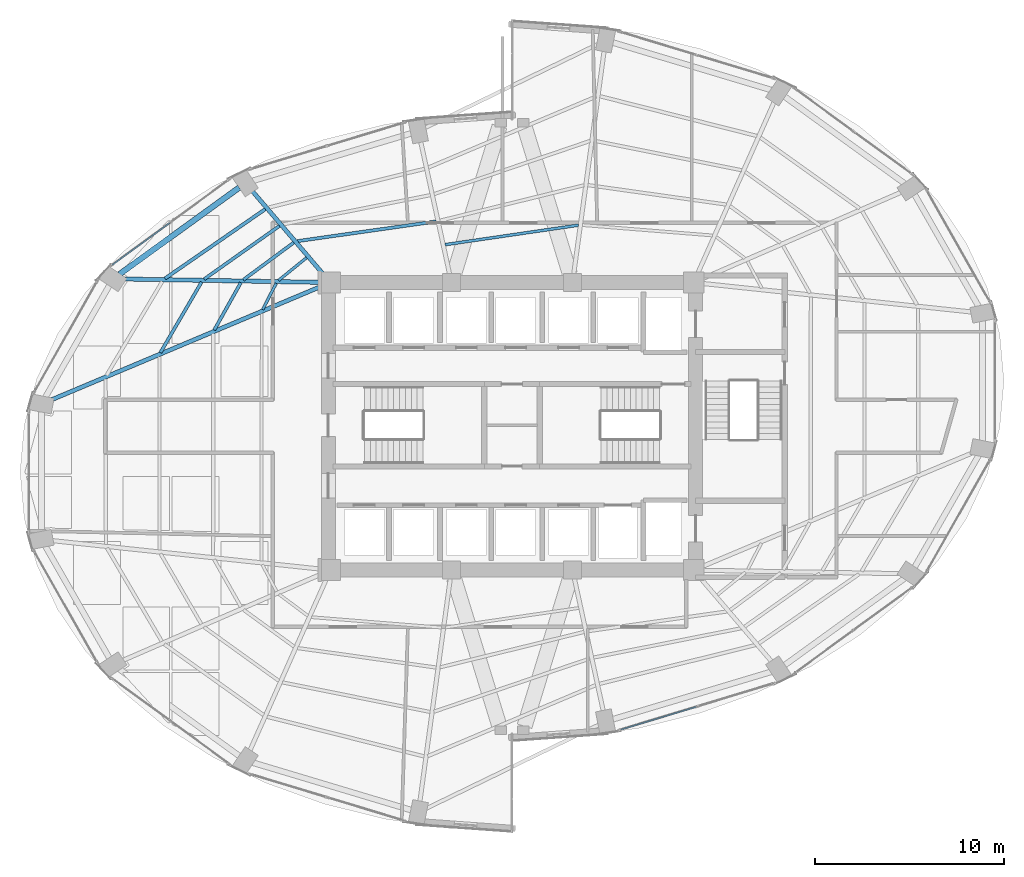
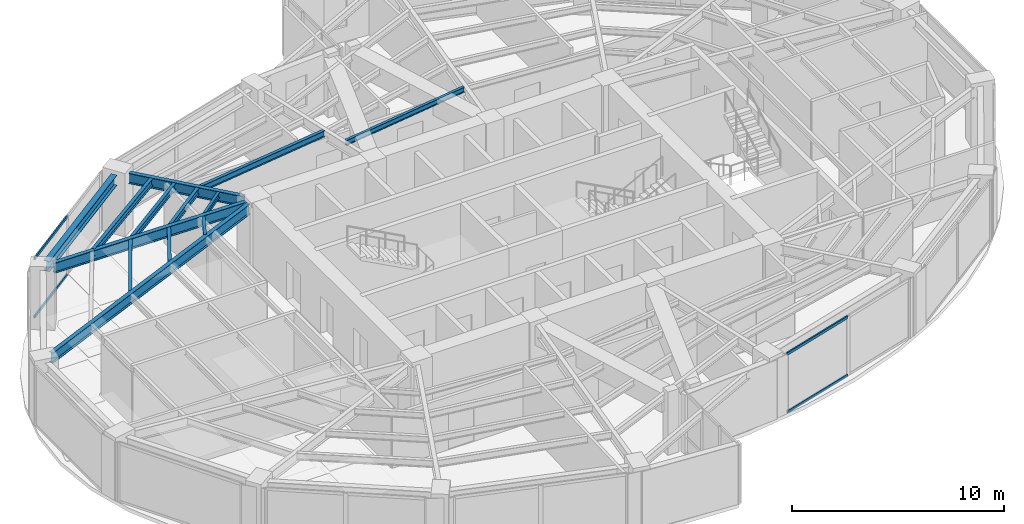
# One storey, part 9 of 24: 13 beams, 4 members, 2 elements without a shape of their own.
"""IFC4 building model written with IfcOpenShell, lengths in metres."""

from ifc_helpers import new_model, si_unit, direction, frame, origin, origin_2d, place, context, subcontext, project, spatial, hollow_rectangle, i_section, extrude, material, layer, layer_set, material_profile, profile_set, type_object, element, aggregate, save


model = new_model("IFC4")

# Units and contexts
model_context = context("Model", 3, precision=1e-05, world=origin(), true_north=direction((0.0, 1.0)))
body_context = subcontext(model_context, "Body", "Model", "MODEL_VIEW")
ifc_project = project(units=[si_unit("LENGTHUNIT", "METRE"), si_unit("AREAUNIT", "SQUARE_METRE"), si_unit("VOLUMEUNIT", "CUBIC_METRE"), si_unit("PLANEANGLEUNIT", "RADIAN"), si_unit("MASSUNIT", "GRAM", prefix="KILO")], contexts=[model_context])

# Site, building, storey
site_placement = place(None, origin())
site = spatial("IfcSite", under=ifc_project, at=site_placement, CompositionType="ELEMENT")
building_placement = place(site_placement, origin())
building = spatial("IfcBuilding", under=site, at=building_placement, Name="Lazwardi Medical Tower", CompositionType="ELEMENT")
storey_placement = place(building_placement, frame((0.0, 0.0, 103.632080078125)))
storey = spatial("IfcBuildingStorey", under=building, at=storey_placement, Name="L26", CompositionType="ELEMENT", Elevation=103.632080078125)

# Beams
ifc_material_1 = material(Name="Steel S355", Category="steel")
ifc_material_profile_1 = material_profile(ifc_material_1, i_section(OverallWidth=0.300048828125, OverallDepth=0.60009765625, WebThickness=0.015380859375, FlangeThickness=0.030029296875, at=origin_2d()), Name="HEB 600")
ifc_profile_set_1 = profile_set([ifc_material_profile_1], Name="Steel S355")
beam_type_1 = type_object("IfcBeamType", Name="BM-RB-Z2", PredefinedType="BEAM", material=ifc_profile_set_1)
beam_1_placement = place(storey_placement, frame((21.584228515625, 40.6171875, 3.1279296875), z_axis=(-0.810041907649, -0.586371987609, 0.0), x_axis=(0.586371987609, -0.810041907649, 0.0)))
element("IfcBeam", 1, at=beam_1_placement, inside=storey, type_object=beam_type_1, Name="Ring beam RB-03 B10 L26", PredefinedType="BEAM", context=body_context, shape_type="SweptSolid", body=[
    extrude(i_section(OverallWidth=0.300048828125, OverallDepth=0.60009765625, WebThickness=0.015380859375, FlangeThickness=0.030029296875, at=origin_2d()), origin(), (0.0, 0.0, 1.0), 7.814208984375),
])
ifc_material_profile_2 = material_profile(ifc_material_1, i_section(OverallWidth=0.219970703125, OverallDepth=0.60009765625, WebThickness=0.011962890625, FlangeThickness=0.01904296875, at=origin_2d()), Name="IPE 600")
ifc_profile_set_2 = profile_set([ifc_material_profile_2], Name="Steel S355")
beam_type_2 = type_object("IfcBeamType", Name="BM-RG-W1", PredefinedType="BEAM", material=ifc_profile_set_2)
beam_2_placement = place(storey_placement, frame((22.292724609375, 40.416259765625, 3.1279296875), z_axis=(0.648870567436, -0.760898801889, 0.0), x_axis=(0.760898801889, 0.648870567436, 0.0)))
element("IfcBeam", 2, at=beam_2_placement, inside=storey, type_object=beam_type_2, Name="Radial girder RG-02 R10 L26", PredefinedType="BEAM", context=body_context, shape_type="SweptSolid", body=[
    extrude(i_section(OverallWidth=0.219970703125, OverallDepth=0.60009765625, WebThickness=0.011962890625, FlangeThickness=0.01904296875, at=origin_2d()), origin(), (0.0, 0.0, 1.0), 5.794677734375),
])
beam_3_placement = place(storey_placement, frame((15.502197265625, 35.784912109375, 3.1279296875), z_axis=(0.99985616395, -0.016960289263, 0.0), x_axis=(0.016960289263, 0.99985616395, 0.0)))
element("IfcBeam", 3, at=beam_3_placement, inside=storey, type_object=beam_type_2, Name="Radial girder RG-02 R11 L26", PredefinedType="BEAM", context=body_context, shape_type="SweptSolid", body=[
    extrude(i_section(OverallWidth=0.219970703125, OverallDepth=0.60009765625, WebThickness=0.011962890625, FlangeThickness=0.01904296875, at=origin_2d()), origin(), (0.0, 0.0, 1.0), 10.3642578125),
])
beam_4_placement = place(storey_placement, frame((11.671630859375, 29.40478515625, 3.1279296875), z_axis=(0.921775176005, 0.38772480563, 0.0), x_axis=(-0.38772480563, 0.921775176005, 0.0)))
element("IfcBeam", 4, at=beam_4_placement, inside=storey, type_object=beam_type_2, Name="Radial girder RG-02 R12 L26", PredefinedType="BEAM", context=body_context, shape_type="SweptSolid", body=[
    extrude(i_section(OverallWidth=0.219970703125, OverallDepth=0.60009765625, WebThickness=0.011962890625, FlangeThickness=0.01904296875, at=origin_2d()), origin(), (0.0, 0.0, 1.0), 15.443359375),
])
ifc_material_profile_3 = material_profile(ifc_material_1, i_section(OverallWidth=0.179931640625, OverallDepth=0.39990234375, WebThickness=0.008544921875, FlangeThickness=0.013427734375, at=origin_2d()), Name="IPE 400")
ifc_profile_set_3 = profile_set([ifc_material_profile_3], Name="Steel S355")
beam_type_3 = type_object("IfcBeamType", Name="BM-SJ-01", PredefinedType="JOIST", material=ifc_profile_set_3)
beam_5_placement = place(storey_placement, frame((22.95849609375, 39.474609375, 3.22802734375), z_axis=(-0.822376339068, -0.568943896128, 0.0), x_axis=(0.568943896128, -0.822376339068, 0.0)))
element("IfcBeam", 5, at=beam_5_placement, inside=storey, type_object=beam_type_3, Name="Secondary joist SJ-01 R1 B10 L26", PredefinedType="JOIST", context=body_context, shape_type="SweptSolid", body=[
    extrude(i_section(OverallWidth=0.179931640625, OverallDepth=0.39990234375, WebThickness=0.008544921875, FlangeThickness=0.013427734375, at=origin_2d()), origin(), (0.0, 0.0, 1.0), 6.44189453125),
])
ifc_material_profile_4 = material_profile(ifc_material_1, i_section(OverallWidth=0.169921875, OverallDepth=0.360107421875, WebThickness=0.008056640625, FlangeThickness=0.0126953125, at=origin_2d()), Name="IPE 360")
ifc_profile_set_4 = profile_set([ifc_material_profile_4], Name="Steel S355")
beam_type_4 = type_object("IfcBeamType", Name="BM-SJ-02", PredefinedType="JOIST", material=ifc_profile_set_4)
beam_6_placement = place(storey_placement, frame((23.7109375, 38.591796875, 3.247802734375), z_axis=(-0.816156371539, -0.577831097464, 0.0), x_axis=(0.577831097464, -0.816156371539, 0.0)))
element("IfcBeam", 6, at=beam_6_placement, inside=storey, type_object=beam_type_4, Name="Secondary joist SJ-02 R2 B10 L26", PredefinedType="JOIST", context=body_context, shape_type="SweptSolid", body=[
    extrude(i_section(OverallWidth=0.169921875, OverallDepth=0.360107421875, WebThickness=0.008056640625, FlangeThickness=0.0126953125, at=origin_2d()), origin(), (0.0, 0.0, 1.0), 4.8740234375),
])
beam_7_placement = place(storey_placement, frame((19.594482421875, 35.623779296875, 3.247802734375), z_axis=(-0.503544274258, -0.86396942299, 0.0), x_axis=(0.86396942299, -0.503544274258, 0.0)))
element("IfcBeam", 7, at=beam_7_placement, inside=storey, type_object=beam_type_4, Name="Secondary joist SJ-02 R2 B11 L26", PredefinedType="JOIST", context=body_context, shape_type="SweptSolid", body=[
    extrude(i_section(OverallWidth=0.169921875, OverallDepth=0.360107421875, WebThickness=0.008056640625, FlangeThickness=0.0126953125, at=origin_2d()), origin(), (0.0, 0.0, 1.0), 4.321044921875),
])
beam_8_placement = place(storey_placement, frame((31.988525390625, 38.8271484375, 3.247802734375), z_axis=(-0.990067108571, -0.140595592128, 0.0), x_axis=(0.140595592128, -0.990067108571, 0.0)))
element("IfcBeam", 8, at=beam_8_placement, inside=storey, type_object=beam_type_4, Name="Secondary joist SJ-02 R3 B09 L26", PredefinedType="JOIST", context=body_context, shape_type="SweptSolid", body=[
    extrude(i_section(OverallWidth=0.169921875, OverallDepth=0.360107421875, WebThickness=0.008056640625, FlangeThickness=0.0126953125, at=origin_2d()), origin(), (0.0, 0.0, 1.0), 7.409423828125),
])
beam_9_placement = place(storey_placement, frame((24.46435546875, 37.708251953125, 3.247802734375), z_axis=(-0.804125525058, -0.594459536008, 0.0), x_axis=(0.594459536008, -0.804125525058, 0.0)))
element("IfcBeam", 9, at=beam_9_placement, inside=storey, type_object=beam_type_4, Name="Secondary joist SJ-02 R3 B10 L26", PredefinedType="JOIST", context=body_context, shape_type="SweptSolid", body=[
    extrude(i_section(OverallWidth=0.169921875, OverallDepth=0.360107421875, WebThickness=0.008056640625, FlangeThickness=0.0126953125, at=origin_2d()), origin(), (0.0, 0.0, 1.0), 3.30810546875),
])
beam_10_placement = place(storey_placement, frame((21.66845703125, 35.587890625, 3.247802734375), z_axis=(-0.489860824278, -0.871800649711, 0.0), x_axis=(0.871800649711, -0.489860824278, 0.0)))
element("IfcBeam", 10, at=beam_10_placement, inside=storey, type_object=beam_type_4, Name="Secondary joist SJ-02 R3 B11 L26", PredefinedType="JOIST", context=body_context, shape_type="SweptSolid", body=[
    extrude(i_section(OverallWidth=0.169921875, OverallDepth=0.360107421875, WebThickness=0.008056640625, FlangeThickness=0.0126953125, at=origin_2d()), origin(), (0.0, 0.0, 1.0), 2.8662109375),
])
ifc_material_profile_5 = material_profile(ifc_material_1, i_section(OverallWidth=0.14990234375, OverallDepth=0.300048828125, WebThickness=0.007080078125, FlangeThickness=0.0107421875, at=origin_2d()), Name="IPE 300")
ifc_profile_set_5 = profile_set([ifc_material_profile_5], Name="Steel S355")
beam_type_5 = type_object("IfcBeamType", Name="BM-SJ-03", PredefinedType="JOIST", material=ifc_profile_set_5)
beam_11_placement = place(storey_placement, frame((39.511474609375, 38.62939453125, 3.27783203125), z_axis=(-0.98949221477, -0.144586157392, 0.0), x_axis=(0.144586157392, -0.98949221477, 0.0)))
element("IfcBeam", 11, at=beam_11_placement, inside=storey, type_object=beam_type_5, Name="Secondary joist SJ-03 R4 B08 L26", PredefinedType="JOIST", context=body_context, shape_type="SweptSolid", body=[
    extrude(i_section(OverallWidth=0.14990234375, OverallDepth=0.300048828125, WebThickness=0.007080078125, FlangeThickness=0.0107421875, at=origin_2d()), origin(), (0.0, 0.0, 1.0), 7.115478515625),
])
beam_12_placement = place(storey_placement, frame((25.14404296875, 36.910888671875, 3.27783203125), z_axis=(-0.77695773322, -0.629552762515, 0.0), x_axis=(0.629552762515, -0.77695773322, 0.0)))
element("IfcBeam", 12, at=beam_12_placement, inside=storey, type_object=beam_type_5, Name="Secondary joist SJ-03 R4 B10 L26", PredefinedType="JOIST", context=body_context, shape_type="SweptSolid", body=[
    extrude(i_section(OverallWidth=0.14990234375, OverallDepth=0.300048828125, WebThickness=0.007080078125, FlangeThickness=0.0107421875, at=origin_2d()), origin(), (0.0, 0.0, 1.0), 1.9013671875),
])
beam_13_placement = place(storey_placement, frame((23.537109375, 35.554443359375, 3.27783203125), z_axis=(-0.457956589674, -0.888974556427, 0.0), x_axis=(0.888974556427, -0.457956589674, 0.0)))
element("IfcBeam", 13, at=beam_13_placement, inside=storey, type_object=beam_type_5, Name="Secondary joist SJ-03 R4 B11 L26", PredefinedType="JOIST", context=body_context, shape_type="SweptSolid", body=[
    extrude(i_section(OverallWidth=0.14990234375, OverallDepth=0.300048828125, WebThickness=0.007080078125, FlangeThickness=0.0107421875, at=origin_2d()), origin(), (0.0, 0.0, 1.0), 1.558837890625),
])

# Curtain wall, members
ifc_material_2 = material(Name="Anodised bronze aluminium and solar control glazing", Category="aluminium")
ifc_layer = layer(ifc_material_2, 0.195068359375)
ifc_layer_set = layer_set([ifc_layer], Name="Anodised bronze aluminium and solar control glazing")
curtain_wall_type = type_object("IfcCurtainWallType", Name="CW-SYS-03", PredefinedType="NOTDEFINED", material=ifc_layer_set)
curtain_wall_1_placement = place(storey_placement, origin())
curtain_wall_1 = element("IfcCurtainWall", 14, at=curtain_wall_1_placement, inside=storey, type_object=curtain_wall_type, Name="L26 Unitised bronze curtain wall CW-03", PredefinedType="NOTDEFINED")
ifc_material_3 = material(Name="Anodised bronze aluminium", Category="aluminium")
ifc_material_profile_6 = material_profile(ifc_material_3, hollow_rectangle(XDim=0.074951171875, YDim=0.159912109375, WallThickness=0.00390625, at=origin_2d()), Name="ALU-TRANSOM 160x75x4")
ifc_profile_set_6 = profile_set([ifc_material_profile_6], Name="Anodised bronze aluminium")
member_type = type_object("IfcMemberType", Name="CW-TRN-01", PredefinedType="USERDEFINED", material=ifc_profile_set_6)
member_1_placement = place(storey_placement, frame((41.74609375, 11.970703125, 0.037353515625), z_axis=(0.957220865985, 0.289358279168, 0.0), x_axis=(-0.289358279168, 0.957220865985, 0.0)))
member_1 = element("IfcMember", 15, at=member_1_placement, type_object=member_type, Name="CW-03 transom 1.1", ObjectType="TRANSOM", PredefinedType="USERDEFINED", context=body_context, shape_type="SweptSolid", body=[
    extrude(hollow_rectangle(XDim=0.074951171875, YDim=0.159912109375, WallThickness=0.00390625, at=origin_2d()), origin(), (0.0, 0.0, 1.0), 4.16552734375),
])
member_2_placement = place(storey_placement, frame((41.74609375, 11.970703125, 3.390380859375), z_axis=(0.957220865985, 0.289358279168, 0.0), x_axis=(-0.289358279168, 0.957220865985, 0.0)))
member_2 = element("IfcMember", 16, at=member_2_placement, type_object=member_type, Name="CW-03 transom 1.2", ObjectType="TRANSOM", PredefinedType="USERDEFINED", context=body_context, shape_type="SweptSolid", body=[
    extrude(hollow_rectangle(XDim=0.074951171875, YDim=0.159912109375, WallThickness=0.00390625, at=origin_2d()), origin(), (0.0, 0.0, 1.0), 4.16552734375),
])
aggregate(curtain_wall_1, [member_1, member_2])

curtain_wall_2_placement = place(storey_placement, origin())
curtain_wall_2 = element("IfcCurtainWall", 17, at=curtain_wall_2_placement, inside=storey, type_object=curtain_wall_type, Name="L26 Unitised bronze curtain wall CW-03", PredefinedType="NOTDEFINED")
member_3_placement = place(storey_placement, frame((17.918701171875, 38.752197265625, 0.037353515625), z_axis=(-0.807731734271, -0.589550206049, 0.0), x_axis=(0.589550206049, -0.807731734271, 0.0)))
member_3 = element("IfcMember", 18, at=member_3_placement, type_object=member_type, Name="CW-03 transom 2.1", ObjectType="TRANSOM", PredefinedType="USERDEFINED", context=body_context, shape_type="SweptSolid", body=[
    extrude(hollow_rectangle(XDim=0.074951171875, YDim=0.159912109375, WallThickness=0.00390625, at=origin_2d()), origin(), (0.0, 0.0, 1.0), 3.767578125),
])
member_4_placement = place(storey_placement, frame((17.918701171875, 38.752197265625, 3.390380859375), z_axis=(-0.807731734271, -0.589550206049, 0.0), x_axis=(0.589550206049, -0.807731734271, 0.0)))
member_4 = element("IfcMember", 19, at=member_4_placement, type_object=member_type, Name="CW-03 transom 2.2", ObjectType="TRANSOM", PredefinedType="USERDEFINED", context=body_context, shape_type="SweptSolid", body=[
    extrude(hollow_rectangle(XDim=0.074951171875, YDim=0.159912109375, WallThickness=0.00390625, at=origin_2d()), origin(), (0.0, 0.0, 1.0), 3.767578125),
])
aggregate(curtain_wall_2, [member_3, member_4])

save(model, "model.ifc")
